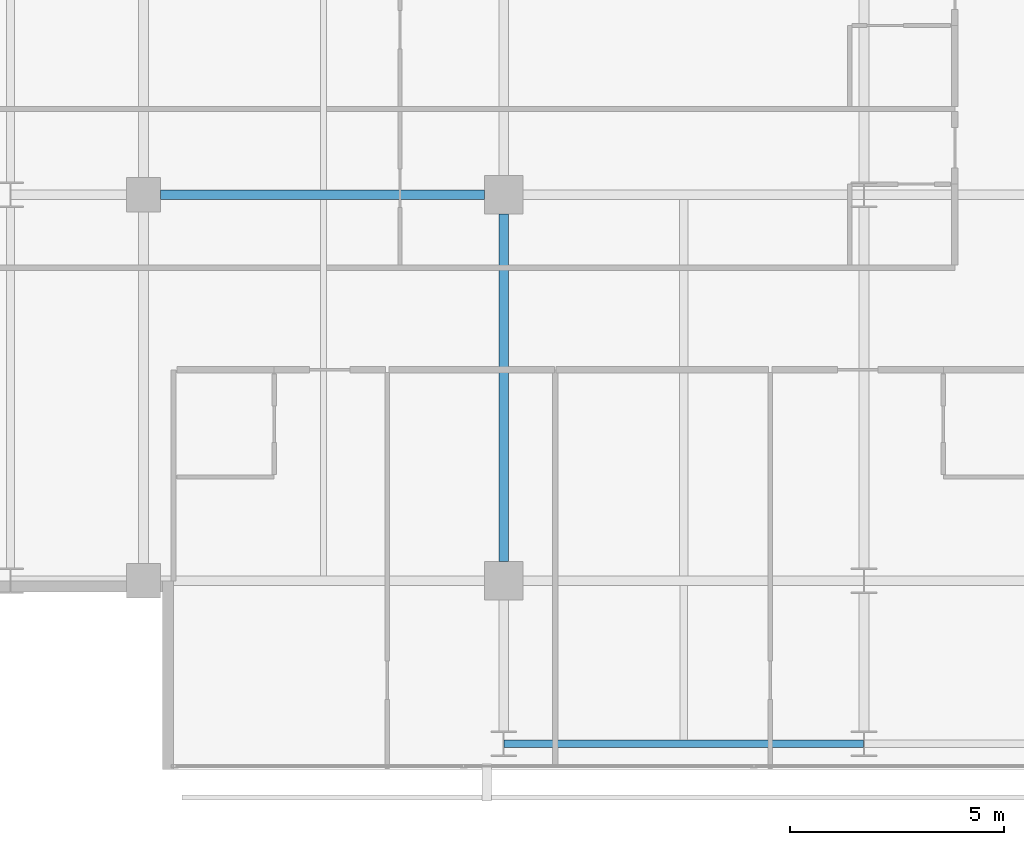
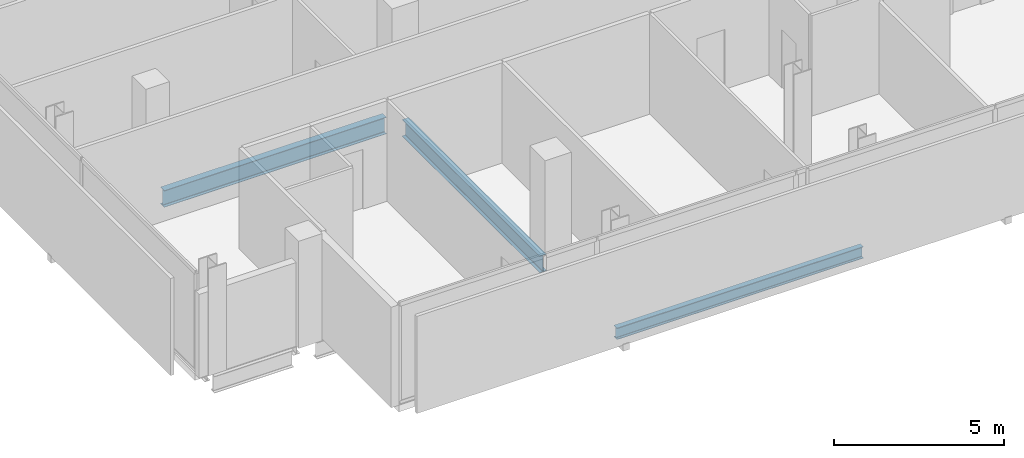
# One storey, part 5 of 34: 3 beams.
"""IFC4 building model written with IfcOpenShell, lengths in metres."""

from ifc_helpers import new_model, si_unit, direction, frame, origin, origin_2d, place, context, subcontext, project, spatial, i_section, extrude, material, material_profile, profile_set, type_object, element, save


model = new_model("IFC4")

# Units and contexts
model_context = context("Model", 3, precision=1e-05, world=origin(), true_north=direction((0.0, 1.0)))
body_context = subcontext(model_context, "Body", "Model", "MODEL_VIEW")
ifc_project = project(units=[si_unit("LENGTHUNIT", "METRE"), si_unit("AREAUNIT", "SQUARE_METRE"), si_unit("VOLUMEUNIT", "CUBIC_METRE"), si_unit("PLANEANGLEUNIT", "RADIAN"), si_unit("MASSUNIT", "GRAM", prefix="KILO")], contexts=[model_context])

# Site, building, storey
site_placement = place(None, origin())
site = spatial("IfcSite", under=ifc_project, at=site_placement, CompositionType="ELEMENT")
building_placement = place(site_placement, origin())
building = spatial("IfcBuilding", under=site, at=building_placement, Name="Maruvema Waterfront Hotel and Observation Tower", CompositionType="ELEMENT")
storey_placement = place(building_placement, frame((0.0, 0.0, 185.14990234375)))
storey = spatial("IfcBuildingStorey", under=building, at=storey_placement, Name="L45", CompositionType="ELEMENT", Elevation=185.14990234375)

# Beams
ifc_material_1 = material(Name="Steel ASTM A572 Grade 50", Category="steel")
ifc_material_profile_1 = material_profile(ifc_material_1, i_section(OverallWidth=0.180908203125, OverallDepth=0.4169921875, WebThickness=0.010986328125, FlangeThickness=0.018310546875, FilletRadius=0.014892578125, at=origin_2d()), Name="W410x85.0")
ifc_profile_set_1 = profile_set([ifc_material_profile_1], Name="Steel ASTM A572 Grade 50")
beam_type_1 = type_object("IfcBeamType", Name="Perimeter Spandrel Beam W410x85.0", PredefinedType="SPANDREL", material=ifc_profile_set_1)
beam_1_placement = place(storey_placement, frame((25.21240234375, 5.199951171875, -0.448486328125), z_axis=(1.0, 0.0, 0.0), x_axis=(0.0, 1.0, 0.0)))
element("IfcBeam", 1, at=beam_1_placement, inside=storey, type_object=beam_type_1, Name="L45 Floor Girder EW-01", PredefinedType="SPANDREL", context=body_context, shape_type="SweptSolid", body=[
    extrude(i_section(OverallWidth=0.180908203125, OverallDepth=0.4169921875, WebThickness=0.010986328125, FlangeThickness=0.018310546875, FilletRadius=0.014892578125, at=origin_2d()), origin(), (0.0, 0.0, 1.0), 8.375),
])
ifc_material_2 = material(Name="Steel ASTM A572 Grade 50", Category="steel")
ifc_material_profile_2 = material_profile(ifc_material_2, i_section(OverallWidth=0.22802734375, OverallDepth=0.60302734375, WebThickness=0.010498046875, FlangeThickness=0.014892578125, FilletRadius=0.01806640625, at=origin_2d()), Name="W610x101.0")
ifc_profile_set_2 = profile_set([ifc_material_profile_2], Name="Steel ASTM A572 Grade 50")
beam_type_2 = type_object("IfcBeamType", Name="Primary Floor Girder W610x101.0", PredefinedType="BEAM", material=ifc_profile_set_2)
beam_2_placement = place(storey_placement, frame((17.199951171875, 18.0, -0.54150390625), z_axis=(1.0, 0.0, 0.0), x_axis=(0.0, 1.0, 0.0)))
element("IfcBeam", 2, at=beam_2_placement, inside=storey, type_object=beam_type_2, Name="L45 Floor Girder EW-12", PredefinedType="BEAM", context=body_context, shape_type="SweptSolid", body=[
    extrude(i_section(OverallWidth=0.22802734375, OverallDepth=0.60302734375, WebThickness=0.010498046875, FlangeThickness=0.014892578125, FilletRadius=0.01806640625, at=origin_2d()), origin(), (0.0, 0.0, 1.0), 7.550048828125),
])
beam_3_placement = place(storey_placement, frame((25.199951171875, 9.449951171875, -0.54150390625), z_axis=(0.0, 1.0, 0.0), x_axis=(-1.0, 0.0, 0.0)))
element("IfcBeam", 3, at=beam_3_placement, inside=storey, type_object=beam_type_2, Name="L45 Floor Girder NS-10", PredefinedType="BEAM", context=body_context, shape_type="SweptSolid", body=[
    extrude(i_section(OverallWidth=0.22802734375, OverallDepth=0.60302734375, WebThickness=0.010498046875, FlangeThickness=0.014892578125, FilletRadius=0.01806640625, at=origin_2d()), origin(), (0.0, 0.0, 1.0), 8.10009765625),
])

save(model, "model.ifc")
